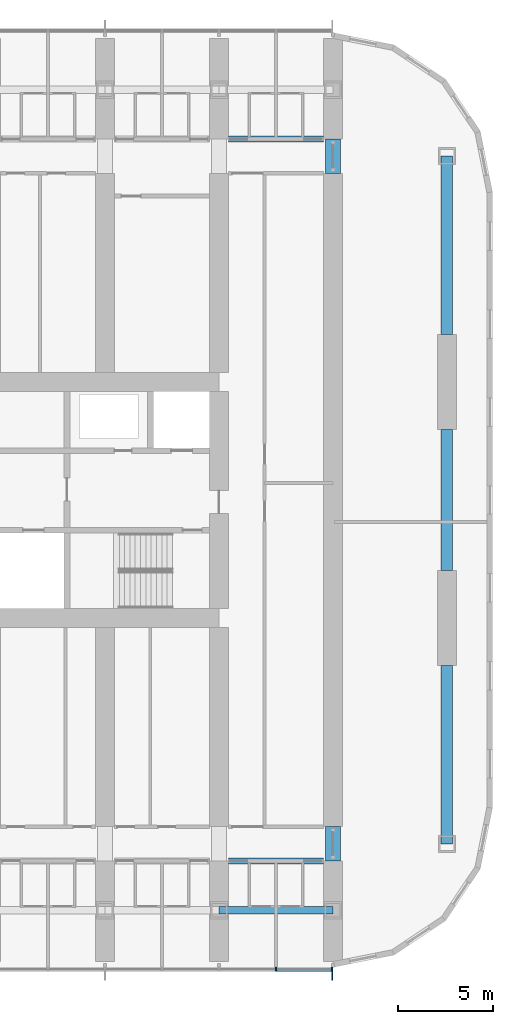
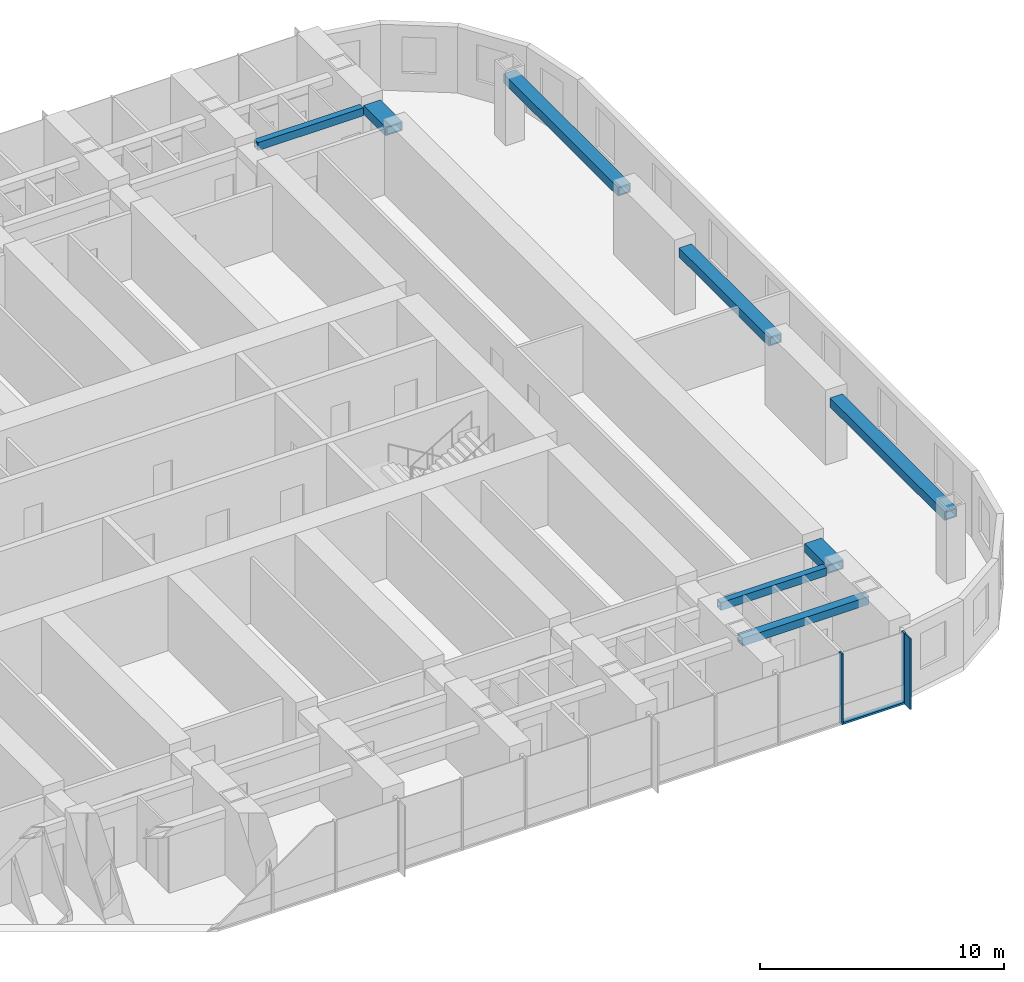
# One storey, part 6 of 24: 8 beams, 4 members, 1 element without a shape of its own.
"""IFC4 building model written with IfcOpenShell, lengths in metres."""

import ifcopenshell
import ifcopenshell.guid

model = None  # the IFC model being written
_history = None  # IfcOwnerHistory: only IFC2X3 demands one
_inside = {}  # id of a spatial element -> (the spatial element, [elements in it])
_under = {}  # id of a project, library or spatial element -> (it, [spatial elements below it])
_declared = {}  # id of a project -> (the project, [libraries it declares])
_typed = {}  # id of a type object -> (the type object, [elements of that type])
_made_of = {}  # id of a material, layer set ... -> (it, [elements and type objects made of it])


def new_model(schema):
    """Start an empty IFC model of exactly this schema.

    Asked for "IFC4X3", IfcOpenShell would pick the latest addendum, in which some entities
    have other attributes; the version numbers below select the first issue.
    IFC2X3 requires an IfcOwnerHistory on every rooted entity: one is made here for all.
    """
    global model, _history
    if schema == "IFC4X3":
        model = ifcopenshell.file(schema_version=(4, 3, 0, 0))
    else:
        model = ifcopenshell.file(schema=schema)
    _inside.clear()
    _under.clear()
    _declared.clear()
    _typed.clear()
    _made_of.clear()
    _history = None
    if model.schema == "IFC2X3":
        org = make("IfcOrganization", Name="unknown")
        user = make(
            "IfcPersonAndOrganization",
            ThePerson=make("IfcPerson", FamilyName="unknown"),
            TheOrganization=org,
        )
        app = make(
            "IfcApplication",
            ApplicationDeveloper=org,
            Version="unknown",
            ApplicationFullName="unknown",
            ApplicationIdentifier="unknown",
        )
        _history = make(
            "IfcOwnerHistory",
            OwningUser=user,
            OwningApplication=app,
            ChangeAction="ADDED",
            CreationDate=0,
        )
    return model


def make(cls, **values):
    """One entity of the class cls with the attributes given. An attribute that is None is left unset."""
    return model.create_entity(
        cls, **{name: value for name, value in values.items() if value is not None}
    )


def rooted(cls, **values):
    """An entity with a GlobalId (a new one), such as an element, a storey or a relation."""
    return make(cls, GlobalId=ifcopenshell.guid.new(), OwnerHistory=_history, **values)


def si_unit(unit_type, name, prefix=None):
    """IfcSIUnit, for example si_unit("LENGTHUNIT", "METRE", prefix="MILLI")."""
    return make("IfcSIUnit", UnitType=unit_type, Prefix=prefix, Name=name)


def assignment(units):
    """IfcUnitAssignment: the units of a project."""
    return None if units is None else make("IfcUnitAssignment", Units=units)


def point(xyz):
    """IfcCartesianPoint."""
    return None if xyz is None else make("IfcCartesianPoint", Coordinates=xyz)


def direction(xyz):
    """IfcDirection."""
    return None if xyz is None else make("IfcDirection", DirectionRatios=xyz)


def frame(location, z_axis=None, x_axis=None):
    """IfcAxis2Placement3D, a coordinate frame: its origin and axes. An axis left out is left unset."""
    return make(
        "IfcAxis2Placement3D",
        Location=point(location),
        Axis=direction(z_axis),
        RefDirection=direction(x_axis),
    )


def frame_2d(location, x_axis=None):
    """IfcAxis2Placement2D, a coordinate frame in the plane: its origin and x axis."""
    return make(
        "IfcAxis2Placement2D", Location=point(location), RefDirection=direction(x_axis)
    )


def origin():
    """The frame at (0, 0, 0) with its axes left unset."""
    return frame((0.0, 0.0, 0.0))


def origin_2d():
    """The frame at (0, 0) in the plane with its x axis left unset."""
    return frame_2d((0.0, 0.0))


def place(relative_to, where):
    """IfcLocalPlacement: puts the frame where relative to a parent placement (None: the world)."""
    return make(
        "IfcLocalPlacement", PlacementRelTo=relative_to, RelativePlacement=where
    )


def context(
    kind, dimensions, precision=None, world=None, true_north=None, identifier=None
):
    """IfcGeometricRepresentationContext, for example the 3D "Model" context."""
    return make(
        "IfcGeometricRepresentationContext",
        ContextIdentifier=identifier,
        ContextType=kind,
        CoordinateSpaceDimension=dimensions,
        Precision=precision,
        WorldCoordinateSystem=world,
        TrueNorth=true_north,
    )


def subcontext(parent, identifier, kind, view, scale=None):
    """IfcGeometricRepresentationSubContext, for example "Body" below "Model"."""
    return make(
        "IfcGeometricRepresentationSubContext",
        ContextIdentifier=identifier,
        ContextType=kind,
        ParentContext=parent,
        TargetScale=scale,
        TargetView=view,
    )


def project(units=None, contexts=None):
    """IfcProject with its units and contexts."""
    return rooted(
        "IfcProject",
        Name="project",
        RepresentationContexts=contexts,
        UnitsInContext=assignment(units),
    )


def spatial(cls, under=None, at=None, **own):
    """A site, building, storey or space (cls), placed at a placement, below another one or the project."""
    s = rooted(cls, ObjectPlacement=at, **own)
    if under is not None:
        _under.setdefault(under.id(), (under, []))[1].append(s)
    return s


def profile(cls, at=None, kind="AREA", **sizes):
    """A parametric profile (cls). Its sizes go by their IFC names, for example OverallWidth=200.0."""
    return make(cls, ProfileType=kind, Position=at, **sizes)


def rectangle(**sizes):
    """IfcRectangleProfileDef."""
    return profile("IfcRectangleProfileDef", **sizes)


def hollow_rectangle(**sizes):
    """IfcRectangleHollowProfileDef."""
    return profile("IfcRectangleHollowProfileDef", **sizes)


def extrude(swept, where, along, depth):
    """IfcExtrudedAreaSolid: the profile swept, set in the frame where, extruded along a direction by depth."""
    return make(
        "IfcExtrudedAreaSolid",
        SweptArea=swept,
        Position=where,
        ExtrudedDirection=direction(along),
        Depth=depth,
    )


def shape(context_of_items, identifier, shape_type, items):
    """IfcShapeRepresentation: the items that make up one representation, for example the "Body"."""
    return make(
        "IfcShapeRepresentation",
        ContextOfItems=context_of_items,
        RepresentationIdentifier=identifier,
        RepresentationType=shape_type,
        Items=items,
    )


def material(Name=None, Category=None):
    """IfcMaterial."""
    return make("IfcMaterial", Name=Name, Category=Category)


def material_profile(
    of_material, cross_section, Name=None, Category=None, Priority=None
):
    """IfcMaterialProfile: a cross section and its material."""
    return make(
        "IfcMaterialProfile",
        Name=Name,
        Material=of_material,
        Profile=cross_section,
        Priority=Priority,
        Category=Category,
    )


def profile_set(profiles, Name=None, composite=None):
    """IfcMaterialProfileSet."""
    return make(
        "IfcMaterialProfileSet",
        Name=Name,
        MaterialProfiles=profiles,
        CompositeProfile=composite,
    )


def made_of(thing, what):
    """Note that an element or type object is made of a material, layer set ...; save() writes the relation."""
    if what is not None:
        _made_of.setdefault(what.id(), (what, []))[1].append(thing)
    return thing


def type_object(cls, material=None, **own):
    """A type object (cls), such as IfcWallType, which elements share."""
    return made_of(rooted(cls, **own), material)


def element(
    cls,
    number,
    at=None,
    inside=None,
    cuts=None,
    type_object=None,
    material=None,
    context=None,
    identifier="Body",
    shape_type=None,
    held_by="IfcProductDefinitionShape",
    body=None,
    shapes=None,
    **own,
):
    """One element of the class cls, such as IfcWall. Its Tag is "e" and its number.

    at: its placement. inside: the storey or other place that contains it. cuts: it is an
    opening in that element (IfcRelVoidsElement). A single representation is given by context,
    identifier, shape_type and body (its items); several are given by shapes. held_by: the class
    of the entity that holds the representations. save() writes the other relations.
    """
    e = rooted(cls, Tag="e%d" % number, ObjectPlacement=at, **own)
    if body is not None:
        shapes = [shape(context, identifier, shape_type, body)]
    if shapes is not None:
        e.Representation = make(held_by, Representations=shapes)
    if inside is not None:
        _inside.setdefault(inside.id(), (inside, []))[1].append(e)
    if cuts is not None:
        rooted(
            "IfcRelVoidsElement", RelatingBuildingElement=cuts, RelatedOpeningElement=e
        )
    if type_object is not None:
        _typed.setdefault(type_object.id(), (type_object, []))[1].append(e)
    return made_of(e, material)


def aggregate(whole, parts):
    """IfcRelAggregates: a whole, such as a stair, and the parts it consists of."""
    return rooted("IfcRelAggregates", RelatingObject=whole, RelatedObjects=parts)


def save(model, path):
    """Write the relations noted so far, then the file.

    IfcRelAggregates (storeys below a building ...), IfcRelContainedInSpatialStructure (elements
    in a storey), IfcRelDefinesByType, IfcRelAssociatesMaterial and IfcRelDeclares: one each for
    every whole, place, type object, material and project.
    """
    for whole, parts in _under.values():
        aggregate(whole, parts)
    for where, things in _inside.values():
        rooted(
            "IfcRelContainedInSpatialStructure",
            RelatedElements=things,
            RelatingStructure=where,
        )
    for kind, things in _typed.values():
        rooted("IfcRelDefinesByType", RelatedObjects=things, RelatingType=kind)
    for what, things in _made_of.values():
        rooted("IfcRelAssociatesMaterial", RelatedObjects=things, RelatingMaterial=what)
    for by, libraries in _declared.values():
        rooted("IfcRelDeclares", RelatingContext=by, RelatedDefinitions=libraries)
    model.write(path)


model = new_model("IFC4")

# Units and contexts
model_context = context("Model", 3, precision=1e-05, world=origin(), true_north=direction((0.0, 1.0)))
body_context = subcontext(model_context, "Body", "Model", "MODEL_VIEW")
ifc_project = project(units=[si_unit("LENGTHUNIT", "METRE"), si_unit("AREAUNIT", "SQUARE_METRE"), si_unit("VOLUMEUNIT", "CUBIC_METRE"), si_unit("PLANEANGLEUNIT", "RADIAN"), si_unit("MASSUNIT", "GRAM", prefix="KILO")], contexts=[model_context])

# Site, building, storey
site_placement = place(None, origin())
site = spatial("IfcSite", under=ifc_project, at=site_placement, CompositionType="ELEMENT")
building_placement = place(site_placement, origin())
building = spatial("IfcBuilding", under=site, at=building_placement, Name="Orbita Commons", CompositionType="ELEMENT")
storey_placement = place(building_placement, frame((0.0, 0.0, 35.199951171875)))
storey = spatial("IfcBuildingStorey", under=building, at=storey_placement, Name="L08", CompositionType="ELEMENT", Elevation=35.199951171875)

# Curtain wall, members
ifc_material_1 = material(Name="Anodised aluminium frame, pale silver", Category="aluminium")
curtain_wall_type = type_object("IfcCurtainWallType", Name="Unitised curtain wall CW-T, vision and spandrel", PredefinedType="NOTDEFINED", material=ifc_material_1)
curtain_wall_placement = place(storey_placement, origin())
curtain_wall = element("IfcCurtainWall", 1, at=curtain_wall_placement, inside=storey, type_object=curtain_wall_type, Name="Curtain wall south L08", PredefinedType="NOTDEFINED")
ifc_material_2 = material(Name="Anodised aluminium, pale silver", Category="aluminium")
ifc_material_profile_1 = material_profile(ifc_material_2, rectangle(XDim=0.080078125, YDim=0.219970703125, at=origin_2d()), Name="AL 80x220")
ifc_profile_set_1 = profile_set([ifc_material_profile_1], Name="Anodised aluminium, pale silver")
member_type_1 = type_object("IfcMemberType", Name="Curtain wall mullion 80x220", PredefinedType="MULLION", material=ifc_profile_set_1)
member_1_placement = place(storey_placement, frame((69.0, 7.2900390625, -0.25), z_axis=(0.0, 0.0, 1.0), x_axis=(1.0, 0.0, 0.0)))
member_1 = element("IfcMember", 2, at=member_1_placement, type_object=member_type_1, Name="Mullion 20 CW-L08-S", PredefinedType="MULLION", context=body_context, shape_type="SweptSolid", body=[
    extrude(rectangle(XDim=0.080078125, YDim=0.219970703125, at=origin_2d()), origin(), (0.0, 0.0, 1.0), 3.550048828125),
])
member_2_placement = place(storey_placement, frame((71.9599609375, 7.2900390625, -0.25), z_axis=(0.0, 0.0, 1.0), x_axis=(1.0, 0.0, 0.0)))
member_2 = element("IfcMember", 3, at=member_2_placement, type_object=member_type_1, Name="Mullion 21 CW-L08-S", PredefinedType="MULLION", context=body_context, shape_type="SweptSolid", body=[
    extrude(rectangle(XDim=0.080078125, YDim=0.219970703125, at=origin_2d()), origin(), (0.0, 0.0, 1.0), 3.550048828125),
])
ifc_material_3 = material(Name="Anodised aluminium, pale silver", Category="aluminium")
ifc_material_profile_2 = material_profile(ifc_material_3, rectangle(XDim=0.219970703125, YDim=0.10009765625, at=origin_2d()), Name="AL 220x100")
ifc_profile_set_2 = profile_set([ifc_material_profile_2], Name="Anodised aluminium, pale silver")
member_type_2 = type_object("IfcMemberType", Name="Curtain wall stack transom 220x100", PredefinedType="USERDEFINED", material=ifc_profile_set_2)
member_3_placement = place(storey_placement, frame((69.0400390625, 7.2900390625, -0.199951171875), z_axis=(1.0, 0.0, 0.0), x_axis=(0.0, 1.0, 0.0)))
member_3 = element("IfcMember", 4, at=member_3_placement, type_object=member_type_2, Name="Transom 20.1 CW-L08-S", ObjectType="TRANSOM", PredefinedType="USERDEFINED", context=body_context, shape_type="SweptSolid", body=[
    extrude(rectangle(XDim=0.219970703125, YDim=0.10009765625, at=origin_2d()), origin(), (0.0, 0.0, 1.0), 2.8798828125),
])

# Beams
ifc_material_4 = material(Name="Steel ASTM A572 Gr 50 welded plate", Category="steel")
ifc_material_profile_3 = material_profile(ifc_material_4, hollow_rectangle(XDim=0.300048828125, YDim=0.39990234375, WallThickness=0.0400390625, at=origin_2d()), Name="BOX 400x300x40")
ifc_profile_set_3 = profile_set([ifc_material_profile_3], Name="Steel ASTM A572 Gr 50 welded plate")
beam_type_1 = type_object("IfcBeamType", Name="Steel corridor link BOX 400x300x40", PredefinedType="BEAM", material=ifc_profile_set_3)
for number, where, z_axis, x_axis, name in (
    (5, (66.5, 13.0, 3.10009765625), (1.0, 0.0, 0.0), (0.0, 1.0, 0.0), "Corridor beam SA 12-13 L08"),
    (6, (66.5, 51.0, 3.10009765625), (1.0, 0.0, 0.0), (0.0, 1.0, 0.0), "Corridor beam NB 12-13 L08"),
):
    element("IfcBeam", number, at=place(storey_placement, frame(where, z_axis=z_axis, x_axis=x_axis)), inside=storey, type_object=beam_type_1, Name=name, PredefinedType="BEAM", context=body_context, shape_type="SweptSolid", body=[
        extrude(hollow_rectangle(XDim=0.300048828125, YDim=0.39990234375, WallThickness=0.0400390625, at=origin_2d()), origin(), (0.0, 0.0, 1.0), 5.0),
    ])
ifc_material_5 = material(Name="Steel ASTM A572 Gr 50 welded plate", Category="steel")
ifc_material_profile_4 = material_profile(ifc_material_5, hollow_rectangle(XDim=0.800048828125, YDim=0.449951171875, WallThickness=0.06005859375, at=origin_2d()), Name="BOX 450x800x60")
ifc_profile_set_4 = profile_set([ifc_material_profile_4], Name="Steel ASTM A572 Gr 50 welded plate")
beam_type_2 = type_object("IfcBeamType", Name="Steel coupling link BOX 450x800x60", PredefinedType="LINTEL", material=ifc_profile_set_4)
for number, where, z_axis, x_axis, name in (
    (7, (72.0, 13.0, 3.074951171875), (0.0, 1.0, 0.0), (-1.0, 0.0, 0.0), "Coupling beam 13 south L08"),
    (8, (72.0, 49.199951171875, 3.074951171875), (0.0, 1.0, 0.0), (-1.0, 0.0, 0.0), "Coupling beam 13 north L08"),
):
    element("IfcBeam", number, at=place(storey_placement, frame(where, z_axis=z_axis, x_axis=x_axis)), inside=storey, type_object=beam_type_2, Name=name, PredefinedType="LINTEL", context=body_context, shape_type="SweptSolid", body=[
        extrude(hollow_rectangle(XDim=0.800048828125, YDim=0.449951171875, WallThickness=0.06005859375, at=origin_2d()), origin(), (0.0, 0.0, 1.0), 1.800048828125),
    ])
ifc_material_6 = material(Name="Steel ASTM A572 Gr 50 welded plate", Category="steel")
ifc_material_profile_5 = material_profile(ifc_material_6, hollow_rectangle(XDim=0.60009765625, YDim=0.449951171875, WallThickness=0.06005859375, at=origin_2d()), Name="BOX 450x600x60")
ifc_profile_set_5 = profile_set([ifc_material_profile_5], Name="Steel ASTM A572 Gr 50 welded plate")
beam_type_3 = type_object("IfcBeamType", Name="Steel end frame link BOX 450x600x60", PredefinedType="BEAM", material=ifc_profile_set_5)
beam_1_placement = place(storey_placement, frame((78.0, 13.89990234375, 3.074951171875), z_axis=(0.0, 1.0, 0.0), x_axis=(-1.0, 0.0, 0.0)))
element("IfcBeam", 9, at=beam_1_placement, inside=storey, type_object=beam_type_3, Name="End frame beam 14 B-C L08", PredefinedType="BEAM", context=body_context, shape_type="SweptSolid", body=[
    extrude(hollow_rectangle(XDim=0.60009765625, YDim=0.449951171875, WallThickness=0.06005859375, at=origin_2d()), origin(), (0.0, 0.0, 1.0), 9.400146484375),
])
beam_2_placement = place(storey_placement, frame((78.0, 28.300048828125, 3.074951171875), z_axis=(0.0, 1.0, 0.0), x_axis=(-1.0, 0.0, 0.0)))
element("IfcBeam", 10, at=beam_2_placement, inside=storey, type_object=beam_type_3, Name="End frame beam 14 C-D L08", PredefinedType="BEAM", context=body_context, shape_type="SweptSolid", body=[
    extrude(hollow_rectangle(XDim=0.60009765625, YDim=0.449951171875, WallThickness=0.06005859375, at=origin_2d()), origin(), (0.0, 0.0, 1.0), 7.39990234375),
])
beam_3_placement = place(storey_placement, frame((78.0, 40.699951171875, 3.074951171875), z_axis=(0.0, 1.0, 0.0), x_axis=(-1.0, 0.0, 0.0)))
element("IfcBeam", 11, at=beam_3_placement, inside=storey, type_object=beam_type_3, Name="End frame beam 14 D-E L08", PredefinedType="BEAM", context=body_context, shape_type="SweptSolid", body=[
    extrude(hollow_rectangle(XDim=0.60009765625, YDim=0.449951171875, WallThickness=0.06005859375, at=origin_2d()), origin(), (0.0, 0.0, 1.0), 9.400146484375),
])
ifc_material_7 = material(Name="Steel ASTM A572 Gr 50 welded plate", Category="steel")
ifc_material_profile_6 = material_profile(ifc_material_7, hollow_rectangle(XDim=0.39990234375, YDim=0.39990234375, WallThickness=0.0400390625, at=origin_2d()), Name="BOX 400x400x40")
ifc_profile_set_6 = profile_set([ifc_material_profile_6], Name="Steel ASTM A572 Gr 50 welded plate")
beam_type_4 = type_object("IfcBeamType", Name="Steel spandrel BOX 400x400x40", PredefinedType="SPANDREL", material=ifc_profile_set_6)
beam_4_placement = place(storey_placement, frame((66.0, 10.39990234375, 3.10009765625), z_axis=(1.0, 0.0, 0.0), x_axis=(0.0, 1.0, 0.0)))
element("IfcBeam", 12, at=beam_4_placement, inside=storey, type_object=beam_type_4, Name="Spandrel beam B 12-13 L08", PredefinedType="SPANDREL", context=body_context, shape_type="SweptSolid", body=[
    extrude(hollow_rectangle(XDim=0.39990234375, YDim=0.39990234375, WallThickness=0.0400390625, at=origin_2d()), origin(), (0.0, 0.0, 1.0), 6.0),
])

# Member
ifc_material_8 = material(Name="Anodised aluminium, pale silver", Category="aluminium")
ifc_material_profile_7 = material_profile(ifc_material_8, rectangle(XDim=0.06005859375, YDim=0.449951171875, at=origin_2d()), Name="FIN 60x450")
ifc_profile_set_7 = profile_set([ifc_material_profile_7], Name="Anodised aluminium, pale silver")
member_type_3 = type_object("IfcMemberType", Name="Vertical fin 60x450 pale aluminium", PredefinedType="USERDEFINED", material=ifc_profile_set_7)
member_4_placement = place(storey_placement, frame((71.9599609375, 6.955078125, -0.25), z_axis=(0.0, 0.0, 1.0), x_axis=(1.0, 0.0, 0.0)))
member_4 = element("IfcMember", 13, at=member_4_placement, type_object=member_type_3, Name="Fin 21 CW-L08-S", ObjectType="FIN", PredefinedType="USERDEFINED", context=body_context, shape_type="SweptSolid", body=[
    extrude(rectangle(XDim=0.06005859375, YDim=0.449951171875, at=origin_2d()), origin(), (0.0, 0.0, 1.0), 3.550048828125),
])

aggregate(curtain_wall, [member_1, member_2, member_4, member_3])

save(model, "model.ifc")
